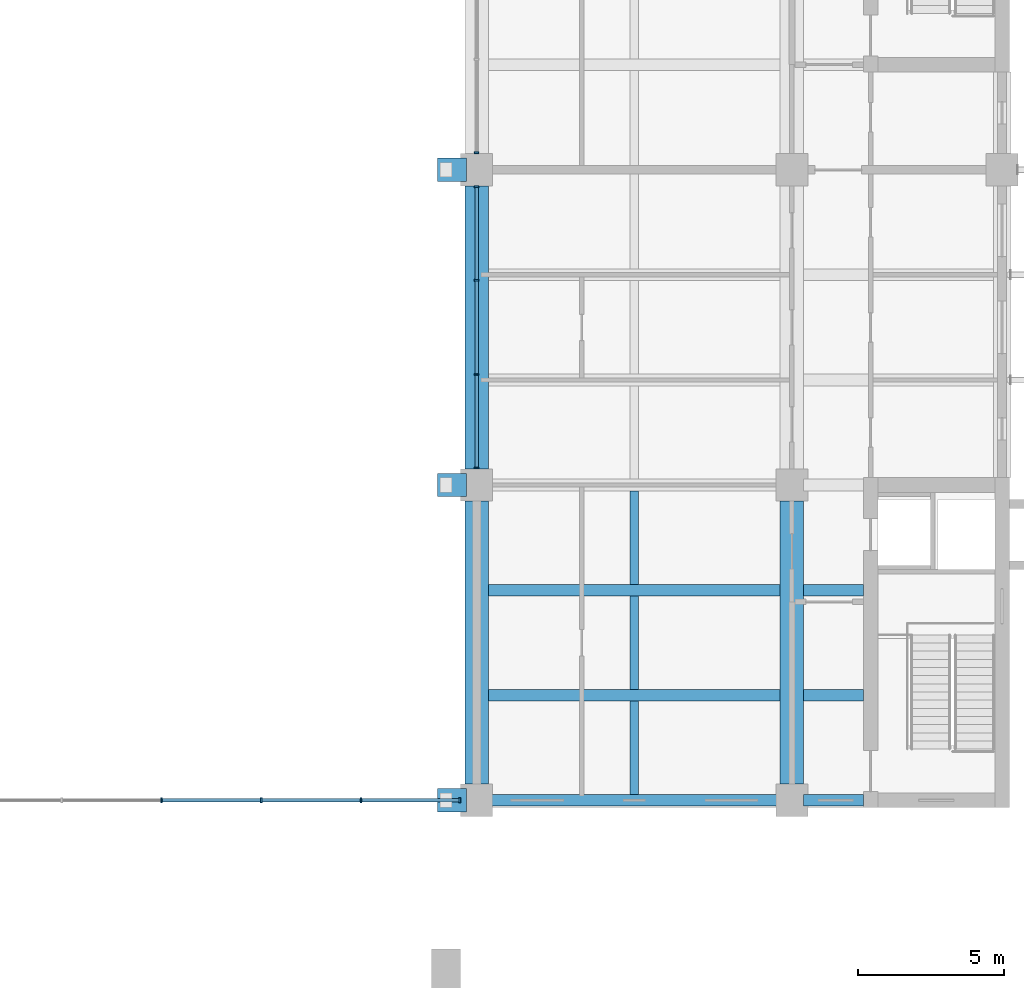
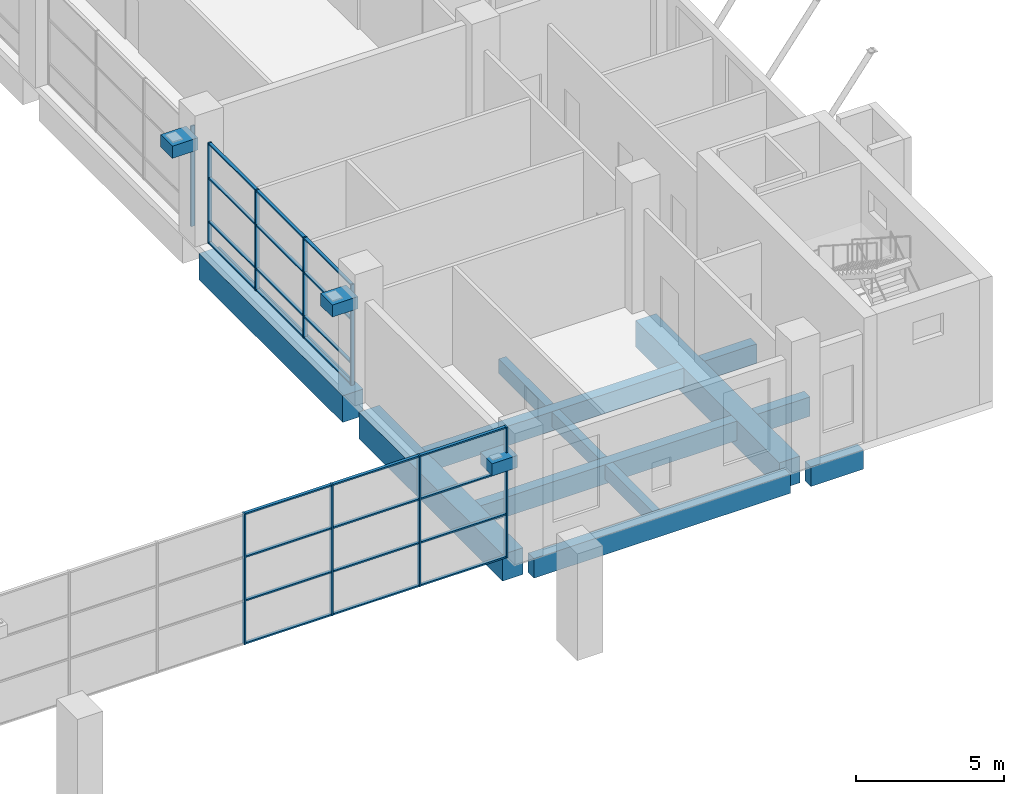
# One storey, part 4 of 38: 33 members, 15 beams, 3 elements without a shape of their own.
"""IFC4 building model written with IfcOpenShell, lengths in metres."""

from ifc_helpers import new_model, si_unit, direction, frame, origin, origin_2d, place, context, subcontext, project, spatial, rectangle, extrude, material, layer, layer_set, material_profile, profile_set, type_object, element, aggregate, save


model = new_model("IFC4")

# Units and contexts
model_context = context("Model", 3, precision=1e-05, world=origin(), true_north=direction((0.0, 1.0)))
body_context = subcontext(model_context, "Body", "Model", "MODEL_VIEW")
ifc_project = project(units=[si_unit("LENGTHUNIT", "METRE"), si_unit("AREAUNIT", "SQUARE_METRE"), si_unit("VOLUMEUNIT", "CUBIC_METRE"), si_unit("PLANEANGLEUNIT", "RADIAN"), si_unit("MASSUNIT", "GRAM", prefix="KILO")], contexts=[model_context])

# Site, building, storey
site_placement = place(None, origin())
site = spatial("IfcSite", under=ifc_project, at=site_placement, CompositionType="ELEMENT")
building_placement = place(site_placement, origin())
building = spatial("IfcBuilding", under=site, at=building_placement, Name="Basin Gate Institute", CompositionType="ELEMENT")
storey_placement = place(building_placement, frame((0.0, 0.0, 16.800048828125)))
storey = spatial("IfcBuildingStorey", under=building, at=storey_placement, Name="L03", CompositionType="ELEMENT", Elevation=16.800048828125)

# Curtain wall, members
ifc_material_1 = material(Name="Aluminium and glass curtain wall", Category="aluminium")
ifc_layer_1 = layer(ifc_material_1, 0.14990234375)
ifc_layer_set_1 = layer_set([ifc_layer_1], Name="Atrium curtain wall CW81")
curtain_wall_type_1 = type_object("IfcCurtainWallType", Name="Atrium curtain wall CW81", PredefinedType="NOTDEFINED", material=ifc_layer_set_1)
curtain_wall_1_placement = place(storey_placement, origin())
curtain_wall_1 = element("IfcCurtainWall", 1, at=curtain_wall_1_placement, inside=storey, type_object=curtain_wall_type_1, material=ifc_layer_set_1, Name="Atrium end screen S L03", PredefinedType="NOTDEFINED")
ifc_material_2 = material(Name="Aluminium mullion", Category="aluminium")
ifc_material_profile_1 = material_profile(ifc_material_2, rectangle(XDim=0.159912109375, YDim=0.06005859375, at=origin_2d()), Name="Atrium mullion MU81 160 x 60")
ifc_profile_set_1 = profile_set([ifc_material_profile_1], Name="Aluminium mullion")
member_type_1 = type_object("IfcMemberType", Name="Atrium mullion MU81", PredefinedType="MULLION", material=ifc_profile_set_1)
member_1_placement = place(storey_placement, frame((90.0, 35.10009765625, 0.0), z_axis=(0.0, 0.0, 1.0), x_axis=(0.0, 1.0, 0.0)))
member_1 = element("IfcMember", 2, at=member_1_placement, type_object=member_type_1, material=ifc_profile_set_1, Name="CW81 mullion 4", PredefinedType="MULLION", context=body_context, shape_type="SweptSolid", body=[
    extrude(rectangle(XDim=0.159912109375, YDim=0.06005859375, at=origin_2d()), origin(), (0.0, 0.0, 1.0), 5.39990234375),
])
member_2_placement = place(storey_placement, frame((93.416748046875, 35.10009765625, 0.0), z_axis=(0.0, 0.0, 1.0), x_axis=(0.0, 1.0, 0.0)))
member_2 = element("IfcMember", 3, at=member_2_placement, type_object=member_type_1, material=ifc_profile_set_1, Name="CW81 mullion 5", PredefinedType="MULLION", context=body_context, shape_type="SweptSolid", body=[
    extrude(rectangle(XDim=0.159912109375, YDim=0.06005859375, at=origin_2d()), origin(), (0.0, 0.0, 1.0), 5.39990234375),
])
member_3_placement = place(storey_placement, frame((96.833251953125, 35.10009765625, 0.0), z_axis=(0.0, 0.0, 1.0), x_axis=(0.0, 1.0, 0.0)))
member_3 = element("IfcMember", 4, at=member_3_placement, type_object=member_type_1, material=ifc_profile_set_1, Name="CW81 mullion 6", PredefinedType="MULLION", context=body_context, shape_type="SweptSolid", body=[
    extrude(rectangle(XDim=0.159912109375, YDim=0.06005859375, at=origin_2d()), origin(), (0.0, 0.0, 1.0), 5.39990234375),
])
member_4_placement = place(storey_placement, frame((100.219970703125, 35.10009765625, 0.0), z_axis=(0.0, 0.0, 1.0), x_axis=(0.0, 1.0, 0.0)))
member_4 = element("IfcMember", 5, at=member_4_placement, type_object=member_type_1, material=ifc_profile_set_1, Name="CW81 mullion 7", PredefinedType="MULLION", context=body_context, shape_type="SweptSolid", body=[
    extrude(rectangle(XDim=0.159912109375, YDim=0.06005859375, at=origin_2d()), origin(), (0.0, 0.0, 1.0), 5.39990234375),
])
ifc_material_3 = material(Name="Aluminium transom", Category="aluminium")
ifc_material_profile_2 = material_profile(ifc_material_3, rectangle(XDim=0.1201171875, YDim=0.06005859375, at=origin_2d()), Name="Atrium transom TR81 120 x 60")
ifc_profile_set_2 = profile_set([ifc_material_profile_2], Name="Aluminium transom")
member_type_2 = type_object("IfcMemberType", Name="Atrium transom TR81", PredefinedType="USERDEFINED", material=ifc_profile_set_2)
member_5_placement = place(storey_placement, frame((90.030029296875, 35.10009765625, 0.030029296875), z_axis=(1.0, 0.0, 0.0), x_axis=(0.0, 1.0, 0.0)))
member_5 = element("IfcMember", 6, at=member_5_placement, type_object=member_type_2, material=ifc_profile_set_2, Name="CW81 transom 4.1", ObjectType="TRANSOM", PredefinedType="USERDEFINED", context=body_context, shape_type="SweptSolid", body=[
    extrude(rectangle(XDim=0.1201171875, YDim=0.06005859375, at=origin_2d()), origin(), (0.0, 0.0, 1.0), 3.356689453125),
])
member_6_placement = place(storey_placement, frame((90.030029296875, 35.10009765625, 1.800048828125), z_axis=(1.0, 0.0, 0.0), x_axis=(0.0, 1.0, 0.0)))
member_6 = element("IfcMember", 7, at=member_6_placement, type_object=member_type_2, material=ifc_profile_set_2, Name="CW81 transom 4.2", ObjectType="TRANSOM", PredefinedType="USERDEFINED", context=body_context, shape_type="SweptSolid", body=[
    extrude(rectangle(XDim=0.1201171875, YDim=0.06005859375, at=origin_2d()), origin(), (0.0, 0.0, 1.0), 3.356689453125),
])
member_7_placement = place(storey_placement, frame((90.030029296875, 35.10009765625, 3.599853515625), z_axis=(1.0, 0.0, 0.0), x_axis=(0.0, 1.0, 0.0)))
member_7 = element("IfcMember", 8, at=member_7_placement, type_object=member_type_2, material=ifc_profile_set_2, Name="CW81 transom 4.3", ObjectType="TRANSOM", PredefinedType="USERDEFINED", context=body_context, shape_type="SweptSolid", body=[
    extrude(rectangle(XDim=0.1201171875, YDim=0.06005859375, at=origin_2d()), origin(), (0.0, 0.0, 1.0), 3.356689453125),
])
member_8_placement = place(storey_placement, frame((90.030029296875, 35.10009765625, 5.369873046875), z_axis=(1.0, 0.0, 0.0), x_axis=(0.0, 1.0, 0.0)))
member_8 = element("IfcMember", 9, at=member_8_placement, type_object=member_type_2, material=ifc_profile_set_2, Name="CW81 transom 4.4", ObjectType="TRANSOM", PredefinedType="USERDEFINED", context=body_context, shape_type="SweptSolid", body=[
    extrude(rectangle(XDim=0.1201171875, YDim=0.06005859375, at=origin_2d()), origin(), (0.0, 0.0, 1.0), 3.356689453125),
])
member_9_placement = place(storey_placement, frame((93.44677734375, 35.10009765625, 0.030029296875), z_axis=(1.0, 0.0, 0.0), x_axis=(0.0, 1.0, 0.0)))
member_9 = element("IfcMember", 10, at=member_9_placement, type_object=member_type_2, material=ifc_profile_set_2, Name="CW81 transom 5.1", ObjectType="TRANSOM", PredefinedType="USERDEFINED", context=body_context, shape_type="SweptSolid", body=[
    extrude(rectangle(XDim=0.1201171875, YDim=0.06005859375, at=origin_2d()), origin(), (0.0, 0.0, 1.0), 3.3564453125),
])
member_10_placement = place(storey_placement, frame((93.44677734375, 35.10009765625, 1.800048828125), z_axis=(1.0, 0.0, 0.0), x_axis=(0.0, 1.0, 0.0)))
member_10 = element("IfcMember", 11, at=member_10_placement, type_object=member_type_2, material=ifc_profile_set_2, Name="CW81 transom 5.2", ObjectType="TRANSOM", PredefinedType="USERDEFINED", context=body_context, shape_type="SweptSolid", body=[
    extrude(rectangle(XDim=0.1201171875, YDim=0.06005859375, at=origin_2d()), origin(), (0.0, 0.0, 1.0), 3.3564453125),
])
member_11_placement = place(storey_placement, frame((93.44677734375, 35.10009765625, 3.599853515625), z_axis=(1.0, 0.0, 0.0), x_axis=(0.0, 1.0, 0.0)))
member_11 = element("IfcMember", 12, at=member_11_placement, type_object=member_type_2, material=ifc_profile_set_2, Name="CW81 transom 5.3", ObjectType="TRANSOM", PredefinedType="USERDEFINED", context=body_context, shape_type="SweptSolid", body=[
    extrude(rectangle(XDim=0.1201171875, YDim=0.06005859375, at=origin_2d()), origin(), (0.0, 0.0, 1.0), 3.3564453125),
])
member_12_placement = place(storey_placement, frame((93.44677734375, 35.10009765625, 5.369873046875), z_axis=(1.0, 0.0, 0.0), x_axis=(0.0, 1.0, 0.0)))
member_12 = element("IfcMember", 13, at=member_12_placement, type_object=member_type_2, material=ifc_profile_set_2, Name="CW81 transom 5.4", ObjectType="TRANSOM", PredefinedType="USERDEFINED", context=body_context, shape_type="SweptSolid", body=[
    extrude(rectangle(XDim=0.1201171875, YDim=0.06005859375, at=origin_2d()), origin(), (0.0, 0.0, 1.0), 3.3564453125),
])
member_13_placement = place(storey_placement, frame((96.86328125, 35.10009765625, 0.030029296875), z_axis=(1.0, 0.0, 0.0), x_axis=(0.0, 1.0, 0.0)))
member_13 = element("IfcMember", 14, at=member_13_placement, type_object=member_type_2, material=ifc_profile_set_2, Name="CW81 transom 6.1", ObjectType="TRANSOM", PredefinedType="USERDEFINED", context=body_context, shape_type="SweptSolid", body=[
    extrude(rectangle(XDim=0.1201171875, YDim=0.06005859375, at=origin_2d()), origin(), (0.0, 0.0, 1.0), 3.32666015625),
])
member_14_placement = place(storey_placement, frame((96.86328125, 35.10009765625, 1.800048828125), z_axis=(1.0, 0.0, 0.0), x_axis=(0.0, 1.0, 0.0)))
member_14 = element("IfcMember", 15, at=member_14_placement, type_object=member_type_2, material=ifc_profile_set_2, Name="CW81 transom 6.2", ObjectType="TRANSOM", PredefinedType="USERDEFINED", context=body_context, shape_type="SweptSolid", body=[
    extrude(rectangle(XDim=0.1201171875, YDim=0.06005859375, at=origin_2d()), origin(), (0.0, 0.0, 1.0), 3.32666015625),
])
member_15_placement = place(storey_placement, frame((96.86328125, 35.10009765625, 3.599853515625), z_axis=(1.0, 0.0, 0.0), x_axis=(0.0, 1.0, 0.0)))
member_15 = element("IfcMember", 16, at=member_15_placement, type_object=member_type_2, material=ifc_profile_set_2, Name="CW81 transom 6.3", ObjectType="TRANSOM", PredefinedType="USERDEFINED", context=body_context, shape_type="SweptSolid", body=[
    extrude(rectangle(XDim=0.1201171875, YDim=0.06005859375, at=origin_2d()), origin(), (0.0, 0.0, 1.0), 3.32666015625),
])
member_16_placement = place(storey_placement, frame((96.86328125, 35.10009765625, 5.369873046875), z_axis=(1.0, 0.0, 0.0), x_axis=(0.0, 1.0, 0.0)))
member_16 = element("IfcMember", 17, at=member_16_placement, type_object=member_type_2, material=ifc_profile_set_2, Name="CW81 transom 6.4", ObjectType="TRANSOM", PredefinedType="USERDEFINED", context=body_context, shape_type="SweptSolid", body=[
    extrude(rectangle(XDim=0.1201171875, YDim=0.06005859375, at=origin_2d()), origin(), (0.0, 0.0, 1.0), 3.32666015625),
])
aggregate(curtain_wall_1, [member_1, member_2, member_3, member_4, member_5, member_6, member_7, member_8, member_9, member_10, member_11, member_12, member_13, member_14, member_15, member_16])

# Beams
ifc_material_4 = material(Name="Concrete 40 MPa", Category="concrete")
ifc_material_profile_3 = material_profile(ifc_material_4, rectangle(XDim=0.39990234375, YDim=0.800048828125, at=origin_2d()), Name="Beam B2 400 x 800")
ifc_profile_set_3 = profile_set([ifc_material_profile_3], Name="Concrete 40 MPa")
beam_type_1 = type_object("IfcBeamType", Name="Beam B2 R180", PredefinedType="BEAM", material=ifc_profile_set_3)
beam_1_placement = place(storey_placement, frame((111.199951171875, 35.10009765625, -0.699951171875), z_axis=(-1.0, 0.0, 0.0), x_axis=(0.0, -1.0, 0.0)))
element("IfcBeam", 18, at=beam_1_placement, inside=storey, type_object=beam_type_1, material=ifc_profile_set_3, Name="BEAM/L03/E/EW/01", PredefinedType="BEAM", context=body_context, shape_type="SweptSolid", body=[
    extrude(rectangle(XDim=0.39990234375, YDim=0.800048828125, at=origin_2d()), origin(), (0.0, 0.0, 1.0), 10.0),
])
beam_2_placement = place(storey_placement, frame((114.050048828125, 35.10009765625, -0.699951171875), z_axis=(-1.0, 0.0, 0.0), x_axis=(0.0, -1.0, 0.0)))
element("IfcBeam", 19, at=beam_2_placement, inside=storey, type_object=beam_type_1, material=ifc_profile_set_3, Name="BEAM/L03/E/CORR/01", PredefinedType="BEAM", context=body_context, shape_type="SweptSolid", body=[
    extrude(rectangle(XDim=0.39990234375, YDim=0.800048828125, at=origin_2d()), origin(), (0.0, 0.0, 1.0), 2.050048828125),
])
beam_3_placement = place(storey_placement, frame((111.199951171875, 38.699951171875, -0.699951171875), z_axis=(-1.0, 0.0, 0.0), x_axis=(0.0, -1.0, 0.0)))
element("IfcBeam", 20, at=beam_3_placement, inside=storey, type_object=beam_type_1, material=ifc_profile_set_3, Name="BEAM/L03/E/EW/02", PredefinedType="BEAM", context=body_context, shape_type="SweptSolid", body=[
    extrude(rectangle(XDim=0.39990234375, YDim=0.800048828125, at=origin_2d()), origin(), (0.0, 0.0, 1.0), 10.0),
])
beam_4_placement = place(storey_placement, frame((114.050048828125, 38.699951171875, -0.699951171875), z_axis=(-1.0, 0.0, 0.0), x_axis=(0.0, -1.0, 0.0)))
element("IfcBeam", 21, at=beam_4_placement, inside=storey, type_object=beam_type_1, material=ifc_profile_set_3, Name="BEAM/L03/E/CORR/02", PredefinedType="BEAM", context=body_context, shape_type="SweptSolid", body=[
    extrude(rectangle(XDim=0.39990234375, YDim=0.800048828125, at=origin_2d()), origin(), (0.0, 0.0, 1.0), 2.050048828125),
])
beam_5_placement = place(storey_placement, frame((111.199951171875, 42.300048828125, -0.699951171875), z_axis=(-1.0, 0.0, 0.0), x_axis=(0.0, -1.0, 0.0)))
element("IfcBeam", 22, at=beam_5_placement, inside=storey, type_object=beam_type_1, material=ifc_profile_set_3, Name="BEAM/L03/E/EW/03", PredefinedType="BEAM", context=body_context, shape_type="SweptSolid", body=[
    extrude(rectangle(XDim=0.39990234375, YDim=0.800048828125, at=origin_2d()), origin(), (0.0, 0.0, 1.0), 10.0),
])
beam_6_placement = place(storey_placement, frame((114.050048828125, 42.300048828125, -0.699951171875), z_axis=(-1.0, 0.0, 0.0), x_axis=(0.0, -1.0, 0.0)))
element("IfcBeam", 23, at=beam_6_placement, inside=storey, type_object=beam_type_1, material=ifc_profile_set_3, Name="BEAM/L03/E/CORR/03", PredefinedType="BEAM", context=body_context, shape_type="SweptSolid", body=[
    extrude(rectangle(XDim=0.39990234375, YDim=0.800048828125, at=origin_2d()), origin(), (0.0, 0.0, 1.0), 2.050048828125),
])
ifc_material_5 = material(Name="Concrete 40 MPa", Category="concrete")
ifc_material_profile_4 = material_profile(ifc_material_5, rectangle(XDim=0.800048828125, YDim=0.5, at=origin_2d()), Name="Beam CB1 800 x 500")
ifc_profile_set_4 = profile_set([ifc_material_profile_4], Name="Concrete 40 MPa")
beam_type_2 = type_object("IfcBeamType", Name="Beam CB1 R180", PredefinedType="BEAM", material=ifc_profile_set_4)
for number, where, z_axis, x_axis, name in (
    (24, (100.449951171875, 35.10009765625, 4.099853515625), (-1.0, 0.0, 0.0), (0.0, -1.0, 0.0), "Atrium shell corbel R180 1E"),
    (25, (100.449951171875, 45.89990234375, 4.099853515625), (-1.0, 0.0, 0.0), (0.0, -1.0, 0.0), "Atrium shell corbel R180 2E"),
    (26, (100.449951171875, 56.699951171875, 4.099853515625), (-1.0, 0.0, 0.0), (0.0, -1.0, 0.0), "Atrium shell corbel R180 3E"),
):
    element("IfcBeam", number, at=place(storey_placement, frame(where, z_axis=z_axis, x_axis=x_axis)), inside=storey, type_object=beam_type_2, material=ifc_profile_set_4, Name=name, PredefinedType="BEAM", context=body_context, shape_type="SweptSolid", body=[
        extrude(rectangle(XDim=0.800048828125, YDim=0.5, at=origin_2d()), origin(), (0.0, 0.0, 1.0), 1.0),
    ])
ifc_material_6 = material(Name="Concrete 50 MPa", Category="concrete")
ifc_material_profile_5 = material_profile(ifc_material_6, rectangle(XDim=0.800048828125, YDim=1.10009765625, at=origin_2d()), Name="Girder G2 800 x 1100")
ifc_profile_set_5 = profile_set([ifc_material_profile_5], Name="Concrete 50 MPa")
beam_type_3 = type_object("IfcBeamType", Name="Girder G2 R180", PredefinedType="BEAM", material=ifc_profile_set_5)
for number, where, z_axis, x_axis, name in (
    (27, (111.60009765625, 35.64990234375, -0.85009765625), (0.0, 1.0, 0.0), (-1.0, 0.0, 0.0), "GIR/L03/E8/1"),
    (28, (100.800048828125, 35.64990234375, -0.85009765625), (0.0, 1.0, 0.0), (-1.0, 0.0, 0.0), "GIR/L03/E7/1"),
):
    element("IfcBeam", number, at=place(storey_placement, frame(where, z_axis=z_axis, x_axis=x_axis)), inside=storey, type_object=beam_type_3, material=ifc_profile_set_5, Name=name, PredefinedType="BEAM", context=body_context, shape_type="SweptSolid", body=[
        extrude(rectangle(XDim=0.800048828125, YDim=1.10009765625, at=origin_2d()), origin(), (0.0, 0.0, 1.0), 9.7001953125),
    ])
beam_7_placement = place(storey_placement, frame((100.800048828125, 46.449951171875, -0.85009765625), z_axis=(0.0, 1.0, 0.0), x_axis=(-1.0, 0.0, 0.0)))
element("IfcBeam", 29, at=beam_7_placement, inside=storey, type_object=beam_type_3, material=ifc_profile_set_5, Name="GIR/L03/E7/2", PredefinedType="BEAM", context=body_context, shape_type="SweptSolid", body=[
    extrude(rectangle(XDim=0.800048828125, YDim=1.10009765625, at=origin_2d()), origin(), (0.0, 0.0, 1.0), 9.699951171875),
])

# Curtain wall, members
ifc_material_7 = material(Name="Fire-resistant glazing in steel-free frame", Category="steel")
ifc_layer_2 = layer(ifc_material_7, 0.199951171875)
ifc_layer_set_2 = layer_set([ifc_layer_2], Name="Fire-resistant glazing in steel-free frame")
curtain_wall_type_2 = type_object("IfcCurtainWallType", Name="Atrium rated curtain wall CW3", PredefinedType="NOTDEFINED", material=ifc_layer_set_2)
curtain_wall_2_placement = place(storey_placement, origin())
curtain_wall_2 = element("IfcCurtainWall", 30, at=curtain_wall_2_placement, inside=storey, type_object=curtain_wall_type_2, material=ifc_layer_set_2, Name="Atrium rated curtain wall E wing atrium bay 2 L03", PredefinedType="NOTDEFINED")
ifc_material_8 = material(Name="Aluminium", Category="aluminium")
ifc_material_profile_6 = material_profile(ifc_material_8, rectangle(XDim=0.14990234375, YDim=0.06005859375, at=origin_2d()), Name="Mullion MU3 150 x 60")
ifc_profile_set_6 = profile_set([ifc_material_profile_6], Name="Aluminium")
member_type_3 = type_object("IfcMemberType", Name="Mullion MU3", PredefinedType="MULLION", material=ifc_profile_set_6)
member_17_placement = place(storey_placement, frame((100.800048828125, 46.47998046875, 0.0), z_axis=(0.0, 0.0, 1.0), x_axis=(-1.0, 0.0, 0.0)))
member_17 = element("IfcMember", 31, at=member_17_placement, type_object=member_type_3, material=ifc_profile_set_6, Name="CW3 mullion 1", PredefinedType="MULLION", context=body_context, shape_type="SweptSolid", body=[
    extrude(rectangle(XDim=0.14990234375, YDim=0.06005859375, at=origin_2d()), origin(), (0.0, 0.0, 1.0), 4.14990234375),
])
member_18_placement = place(storey_placement, frame((100.800048828125, 49.683349609375, 0.0), z_axis=(0.0, 0.0, 1.0), x_axis=(-1.0, 0.0, 0.0)))
member_18 = element("IfcMember", 32, at=member_18_placement, type_object=member_type_3, material=ifc_profile_set_6, Name="CW3 mullion 2", PredefinedType="MULLION", context=body_context, shape_type="SweptSolid", body=[
    extrude(rectangle(XDim=0.14990234375, YDim=0.06005859375, at=origin_2d()), origin(), (0.0, 0.0, 1.0), 4.14990234375),
])
member_19_placement = place(storey_placement, frame((100.800048828125, 52.916748046875, 0.0), z_axis=(0.0, 0.0, 1.0), x_axis=(-1.0, 0.0, 0.0)))
member_19 = element("IfcMember", 33, at=member_19_placement, type_object=member_type_3, material=ifc_profile_set_6, Name="CW3 mullion 3", PredefinedType="MULLION", context=body_context, shape_type="SweptSolid", body=[
    extrude(rectangle(XDim=0.14990234375, YDim=0.06005859375, at=origin_2d()), origin(), (0.0, 0.0, 1.0), 4.14990234375),
])
member_20_placement = place(storey_placement, frame((100.800048828125, 56.1201171875, 0.0), z_axis=(0.0, 0.0, 1.0), x_axis=(-1.0, 0.0, 0.0)))
member_20 = element("IfcMember", 34, at=member_20_placement, type_object=member_type_3, material=ifc_profile_set_6, Name="CW3 mullion 4", PredefinedType="MULLION", context=body_context, shape_type="SweptSolid", body=[
    extrude(rectangle(XDim=0.14990234375, YDim=0.06005859375, at=origin_2d()), origin(), (0.0, 0.0, 1.0), 4.14990234375),
])

# Curtain wall, member
curtain_wall_3_placement = place(storey_placement, origin())
curtain_wall_3 = element("IfcCurtainWall", 35, at=curtain_wall_3_placement, inside=storey, type_object=curtain_wall_type_2, material=ifc_layer_set_2, Name="Atrium rated curtain wall E wing atrium bay 3 L03", PredefinedType="NOTDEFINED")
member_21_placement = place(storey_placement, frame((100.800048828125, 57.280029296875, 0.0), z_axis=(0.0, 0.0, 1.0), x_axis=(-1.0, 0.0, 0.0)))
member_21 = element("IfcMember", 36, at=member_21_placement, type_object=member_type_3, material=ifc_profile_set_6, Name="CW3 mullion 1", PredefinedType="MULLION", context=body_context, shape_type="SweptSolid", body=[
    extrude(rectangle(XDim=0.14990234375, YDim=0.06005859375, at=origin_2d()), origin(), (0.0, 0.0, 1.0), 4.14990234375),
])
aggregate(curtain_wall_3, [member_21])

# Beams
ifc_material_9 = material(Name="Concrete 40 MPa", Category="concrete")
ifc_material_profile_7 = material_profile(ifc_material_9, rectangle(XDim=0.300048828125, YDim=0.60009765625, at=origin_2d()), Name="Rib R2 300 x 600")
ifc_profile_set_7 = profile_set([ifc_material_profile_7], Name="Concrete 40 MPa")
beam_type_4 = type_object("IfcBeamType", Name="Rib R2 R180", PredefinedType="JOIST", material=ifc_profile_set_7)
beam_8_placement = place(storey_placement, frame((106.199951171875, 35.300048828125, -0.60009765625), z_axis=(0.0, 1.0, 0.0), x_axis=(-1.0, 0.0, 0.0)))
element("IfcBeam", 37, at=beam_8_placement, inside=storey, type_object=beam_type_4, material=ifc_profile_set_7, Name="BEAM/L03/E/RIB/01", PredefinedType="JOIST", context=body_context, shape_type="SweptSolid", body=[
    extrude(rectangle(XDim=0.300048828125, YDim=0.60009765625, at=origin_2d()), origin(), (0.0, 0.0, 1.0), 3.199951171875),
])
beam_9_placement = place(storey_placement, frame((106.199951171875, 38.89990234375, -0.60009765625), z_axis=(0.0, 1.0, 0.0), x_axis=(-1.0, 0.0, 0.0)))
element("IfcBeam", 38, at=beam_9_placement, inside=storey, type_object=beam_type_4, material=ifc_profile_set_7, Name="BEAM/L03/E/RIB/02", PredefinedType="JOIST", context=body_context, shape_type="SweptSolid", body=[
    extrude(rectangle(XDim=0.300048828125, YDim=0.60009765625, at=origin_2d()), origin(), (0.0, 0.0, 1.0), 3.2001953125),
])
beam_10_placement = place(storey_placement, frame((106.199951171875, 42.5, -0.60009765625), z_axis=(0.0, 1.0, 0.0), x_axis=(-1.0, 0.0, 0.0)))
element("IfcBeam", 39, at=beam_10_placement, inside=storey, type_object=beam_type_4, material=ifc_profile_set_7, Name="BEAM/L03/E/RIB/03", PredefinedType="JOIST", context=body_context, shape_type="SweptSolid", body=[
    extrude(rectangle(XDim=0.300048828125, YDim=0.60009765625, at=origin_2d()), origin(), (0.0, 0.0, 1.0), 3.199951171875),
])

# Member
ifc_material_10 = material(Name="Aluminium", Category="aluminium")
ifc_material_profile_8 = material_profile(ifc_material_10, rectangle(XDim=0.1201171875, YDim=0.06005859375, at=origin_2d()), Name="Transom TR3 120 x 60")
ifc_profile_set_8 = profile_set([ifc_material_profile_8], Name="Aluminium")
member_type_4 = type_object("IfcMemberType", Name="Transom TR3", PredefinedType="USERDEFINED", material=ifc_profile_set_8)
member_22_placement = place(storey_placement, frame((100.800048828125, 46.510009765625, 0.030029296875), z_axis=(0.0, 1.0, 0.0), x_axis=(-1.0, 0.0, 0.0)))
member_22 = element("IfcMember", 40, at=member_22_placement, type_object=member_type_4, material=ifc_profile_set_8, Name="CW3 transom 1.1", ObjectType="TRANSOM", PredefinedType="USERDEFINED", context=body_context, shape_type="SweptSolid", body=[
    extrude(rectangle(XDim=0.1201171875, YDim=0.06005859375, at=origin_2d()), origin(), (0.0, 0.0, 1.0), 3.143310546875),
])

member_23_placement = place(storey_placement, frame((100.800048828125, 46.510009765625, 0.89990234375), z_axis=(0.0, 1.0, 0.0), x_axis=(-1.0, 0.0, 0.0)))
member_23 = element("IfcMember", 41, at=member_23_placement, type_object=member_type_4, material=ifc_profile_set_8, Name="CW3 transom 1.2", ObjectType="TRANSOM", PredefinedType="USERDEFINED", context=body_context, shape_type="SweptSolid", body=[
    extrude(rectangle(XDim=0.1201171875, YDim=0.06005859375, at=origin_2d()), origin(), (0.0, 0.0, 1.0), 3.143310546875),
])

member_24_placement = place(storey_placement, frame((100.800048828125, 46.510009765625, 2.699951171875), z_axis=(0.0, 1.0, 0.0), x_axis=(-1.0, 0.0, 0.0)))
member_24 = element("IfcMember", 42, at=member_24_placement, type_object=member_type_4, material=ifc_profile_set_8, Name="CW3 transom 1.3", ObjectType="TRANSOM", PredefinedType="USERDEFINED", context=body_context, shape_type="SweptSolid", body=[
    extrude(rectangle(XDim=0.1201171875, YDim=0.06005859375, at=origin_2d()), origin(), (0.0, 0.0, 1.0), 3.143310546875),
])

member_25_placement = place(storey_placement, frame((100.800048828125, 46.510009765625, 4.119873046875), z_axis=(0.0, 1.0, 0.0), x_axis=(-1.0, 0.0, 0.0)))
member_25 = element("IfcMember", 43, at=member_25_placement, type_object=member_type_4, material=ifc_profile_set_8, Name="CW3 transom 1.4", ObjectType="TRANSOM", PredefinedType="USERDEFINED", context=body_context, shape_type="SweptSolid", body=[
    extrude(rectangle(XDim=0.1201171875, YDim=0.06005859375, at=origin_2d()), origin(), (0.0, 0.0, 1.0), 3.143310546875),
])

member_26_placement = place(storey_placement, frame((100.800048828125, 49.71337890625, 0.030029296875), z_axis=(0.0, 1.0, 0.0), x_axis=(-1.0, 0.0, 0.0)))
member_26 = element("IfcMember", 44, at=member_26_placement, type_object=member_type_4, material=ifc_profile_set_8, Name="CW3 transom 2.1", ObjectType="TRANSOM", PredefinedType="USERDEFINED", context=body_context, shape_type="SweptSolid", body=[
    extrude(rectangle(XDim=0.1201171875, YDim=0.06005859375, at=origin_2d()), origin(), (0.0, 0.0, 1.0), 3.17333984375),
])

member_27_placement = place(storey_placement, frame((100.800048828125, 49.71337890625, 0.89990234375), z_axis=(0.0, 1.0, 0.0), x_axis=(-1.0, 0.0, 0.0)))
member_27 = element("IfcMember", 45, at=member_27_placement, type_object=member_type_4, material=ifc_profile_set_8, Name="CW3 transom 2.2", ObjectType="TRANSOM", PredefinedType="USERDEFINED", context=body_context, shape_type="SweptSolid", body=[
    extrude(rectangle(XDim=0.1201171875, YDim=0.06005859375, at=origin_2d()), origin(), (0.0, 0.0, 1.0), 3.17333984375),
])

member_28_placement = place(storey_placement, frame((100.800048828125, 49.71337890625, 2.699951171875), z_axis=(0.0, 1.0, 0.0), x_axis=(-1.0, 0.0, 0.0)))
member_28 = element("IfcMember", 46, at=member_28_placement, type_object=member_type_4, material=ifc_profile_set_8, Name="CW3 transom 2.3", ObjectType="TRANSOM", PredefinedType="USERDEFINED", context=body_context, shape_type="SweptSolid", body=[
    extrude(rectangle(XDim=0.1201171875, YDim=0.06005859375, at=origin_2d()), origin(), (0.0, 0.0, 1.0), 3.17333984375),
])

member_29_placement = place(storey_placement, frame((100.800048828125, 49.71337890625, 4.119873046875), z_axis=(0.0, 1.0, 0.0), x_axis=(-1.0, 0.0, 0.0)))
member_29 = element("IfcMember", 47, at=member_29_placement, type_object=member_type_4, material=ifc_profile_set_8, Name="CW3 transom 2.4", ObjectType="TRANSOM", PredefinedType="USERDEFINED", context=body_context, shape_type="SweptSolid", body=[
    extrude(rectangle(XDim=0.1201171875, YDim=0.06005859375, at=origin_2d()), origin(), (0.0, 0.0, 1.0), 3.17333984375),
])

member_30_placement = place(storey_placement, frame((100.800048828125, 52.94677734375, 0.030029296875), z_axis=(0.0, 1.0, 0.0), x_axis=(-1.0, 0.0, 0.0)))
member_30 = element("IfcMember", 48, at=member_30_placement, type_object=member_type_4, material=ifc_profile_set_8, Name="CW3 transom 3.1", ObjectType="TRANSOM", PredefinedType="USERDEFINED", context=body_context, shape_type="SweptSolid", body=[
    extrude(rectangle(XDim=0.1201171875, YDim=0.06005859375, at=origin_2d()), origin(), (0.0, 0.0, 1.0), 3.143310546875),
])

member_31_placement = place(storey_placement, frame((100.800048828125, 52.94677734375, 0.89990234375), z_axis=(0.0, 1.0, 0.0), x_axis=(-1.0, 0.0, 0.0)))
member_31 = element("IfcMember", 49, at=member_31_placement, type_object=member_type_4, material=ifc_profile_set_8, Name="CW3 transom 3.2", ObjectType="TRANSOM", PredefinedType="USERDEFINED", context=body_context, shape_type="SweptSolid", body=[
    extrude(rectangle(XDim=0.1201171875, YDim=0.06005859375, at=origin_2d()), origin(), (0.0, 0.0, 1.0), 3.143310546875),
])

member_32_placement = place(storey_placement, frame((100.800048828125, 52.94677734375, 2.699951171875), z_axis=(0.0, 1.0, 0.0), x_axis=(-1.0, 0.0, 0.0)))
member_32 = element("IfcMember", 50, at=member_32_placement, type_object=member_type_4, material=ifc_profile_set_8, Name="CW3 transom 3.3", ObjectType="TRANSOM", PredefinedType="USERDEFINED", context=body_context, shape_type="SweptSolid", body=[
    extrude(rectangle(XDim=0.1201171875, YDim=0.06005859375, at=origin_2d()), origin(), (0.0, 0.0, 1.0), 3.143310546875),
])

member_33_placement = place(storey_placement, frame((100.800048828125, 52.94677734375, 4.119873046875), z_axis=(0.0, 1.0, 0.0), x_axis=(-1.0, 0.0, 0.0)))
member_33 = element("IfcMember", 51, at=member_33_placement, type_object=member_type_4, material=ifc_profile_set_8, Name="CW3 transom 3.4", ObjectType="TRANSOM", PredefinedType="USERDEFINED", context=body_context, shape_type="SweptSolid", body=[
    extrude(rectangle(XDim=0.1201171875, YDim=0.06005859375, at=origin_2d()), origin(), (0.0, 0.0, 1.0), 3.143310546875),
])

aggregate(curtain_wall_2, [member_17, member_18, member_19, member_20, member_22, member_23, member_24, member_25, member_26, member_27, member_28, member_29, member_30, member_31, member_32, member_33])

save(model, "model.ifc")
